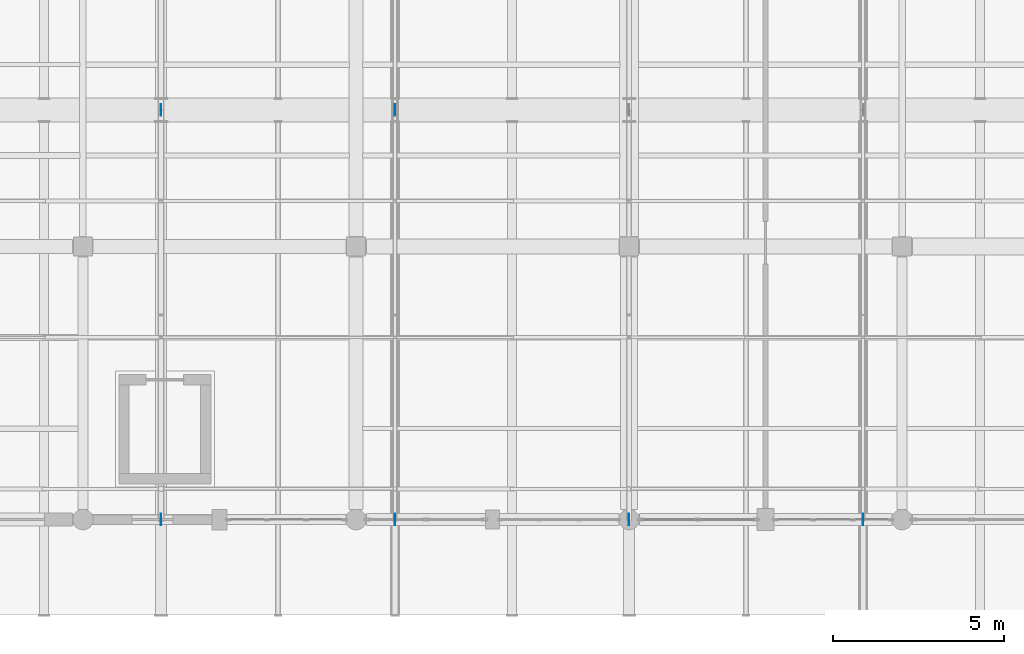
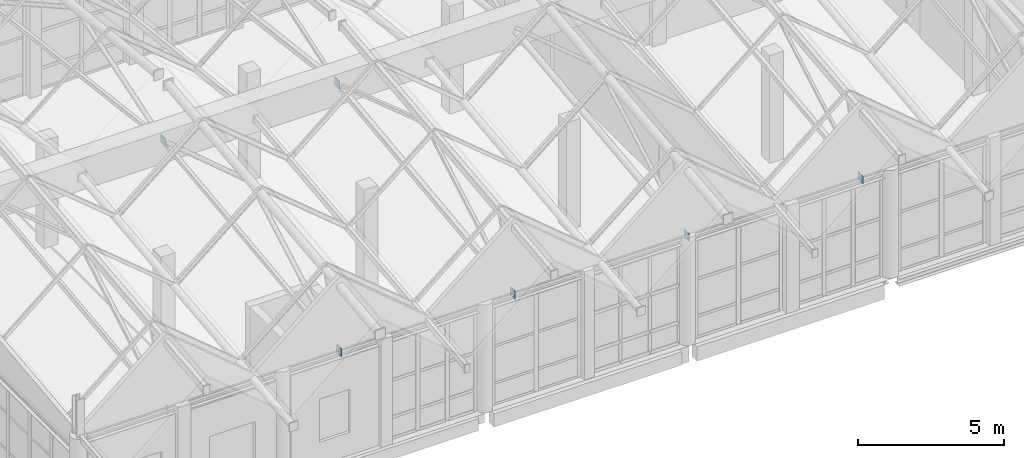
# One storey, part 136 of 183: 6 plates.
"""IFC4 building model written with IfcOpenShell, lengths in metres."""

import ifcopenshell
import ifcopenshell.guid

model = None  # the IFC model being written
_history = None  # IfcOwnerHistory: only IFC2X3 demands one
_inside = {}  # id of a spatial element -> (the spatial element, [elements in it])
_under = {}  # id of a project, library or spatial element -> (it, [spatial elements below it])
_declared = {}  # id of a project -> (the project, [libraries it declares])
_typed = {}  # id of a type object -> (the type object, [elements of that type])
_made_of = {}  # id of a material, layer set ... -> (it, [elements and type objects made of it])


def new_model(schema):
    """Start an empty IFC model of exactly this schema.

    Asked for "IFC4X3", IfcOpenShell would pick the latest addendum, in which some entities
    have other attributes; the version numbers below select the first issue.
    IFC2X3 requires an IfcOwnerHistory on every rooted entity: one is made here for all.
    """
    global model, _history
    if schema == "IFC4X3":
        model = ifcopenshell.file(schema_version=(4, 3, 0, 0))
    else:
        model = ifcopenshell.file(schema=schema)
    _inside.clear()
    _under.clear()
    _declared.clear()
    _typed.clear()
    _made_of.clear()
    _history = None
    if model.schema == "IFC2X3":
        org = make("IfcOrganization", Name="unknown")
        user = make(
            "IfcPersonAndOrganization",
            ThePerson=make("IfcPerson", FamilyName="unknown"),
            TheOrganization=org,
        )
        app = make(
            "IfcApplication",
            ApplicationDeveloper=org,
            Version="unknown",
            ApplicationFullName="unknown",
            ApplicationIdentifier="unknown",
        )
        _history = make(
            "IfcOwnerHistory",
            OwningUser=user,
            OwningApplication=app,
            ChangeAction="ADDED",
            CreationDate=0,
        )
    return model


def make(cls, **values):
    """One entity of the class cls with the attributes given. An attribute that is None is left unset."""
    return model.create_entity(
        cls, **{name: value for name, value in values.items() if value is not None}
    )


def rooted(cls, **values):
    """An entity with a GlobalId (a new one), such as an element, a storey or a relation."""
    return make(cls, GlobalId=ifcopenshell.guid.new(), OwnerHistory=_history, **values)


def si_unit(unit_type, name, prefix=None):
    """IfcSIUnit, for example si_unit("LENGTHUNIT", "METRE", prefix="MILLI")."""
    return make("IfcSIUnit", UnitType=unit_type, Prefix=prefix, Name=name)


def assignment(units):
    """IfcUnitAssignment: the units of a project."""
    return None if units is None else make("IfcUnitAssignment", Units=units)


def point(xyz):
    """IfcCartesianPoint."""
    return None if xyz is None else make("IfcCartesianPoint", Coordinates=xyz)


def direction(xyz):
    """IfcDirection."""
    return None if xyz is None else make("IfcDirection", DirectionRatios=xyz)


def frame(location, z_axis=None, x_axis=None):
    """IfcAxis2Placement3D, a coordinate frame: its origin and axes. An axis left out is left unset."""
    return make(
        "IfcAxis2Placement3D",
        Location=point(location),
        Axis=direction(z_axis),
        RefDirection=direction(x_axis),
    )


def frame_2d(location, x_axis=None):
    """IfcAxis2Placement2D, a coordinate frame in the plane: its origin and x axis."""
    return make(
        "IfcAxis2Placement2D", Location=point(location), RefDirection=direction(x_axis)
    )


def origin():
    """The frame at (0, 0, 0) with its axes left unset."""
    return frame((0.0, 0.0, 0.0))


def origin_2d():
    """The frame at (0, 0) in the plane with its x axis left unset."""
    return frame_2d((0.0, 0.0))


def place(relative_to, where):
    """IfcLocalPlacement: puts the frame where relative to a parent placement (None: the world)."""
    return make(
        "IfcLocalPlacement", PlacementRelTo=relative_to, RelativePlacement=where
    )


def context(
    kind, dimensions, precision=None, world=None, true_north=None, identifier=None
):
    """IfcGeometricRepresentationContext, for example the 3D "Model" context."""
    return make(
        "IfcGeometricRepresentationContext",
        ContextIdentifier=identifier,
        ContextType=kind,
        CoordinateSpaceDimension=dimensions,
        Precision=precision,
        WorldCoordinateSystem=world,
        TrueNorth=true_north,
    )


def subcontext(parent, identifier, kind, view, scale=None):
    """IfcGeometricRepresentationSubContext, for example "Body" below "Model"."""
    return make(
        "IfcGeometricRepresentationSubContext",
        ContextIdentifier=identifier,
        ContextType=kind,
        ParentContext=parent,
        TargetScale=scale,
        TargetView=view,
    )


def project(units=None, contexts=None):
    """IfcProject with its units and contexts."""
    return rooted(
        "IfcProject",
        Name="project",
        RepresentationContexts=contexts,
        UnitsInContext=assignment(units),
    )


def spatial(cls, under=None, at=None, **own):
    """A site, building, storey or space (cls), placed at a placement, below another one or the project."""
    s = rooted(cls, ObjectPlacement=at, **own)
    if under is not None:
        _under.setdefault(under.id(), (under, []))[1].append(s)
    return s


def profile(cls, at=None, kind="AREA", **sizes):
    """A parametric profile (cls). Its sizes go by their IFC names, for example OverallWidth=200.0."""
    return make(cls, ProfileType=kind, Position=at, **sizes)


def rectangle(**sizes):
    """IfcRectangleProfileDef."""
    return profile("IfcRectangleProfileDef", **sizes)


def extrude(swept, where, along, depth):
    """IfcExtrudedAreaSolid: the profile swept, set in the frame where, extruded along a direction by depth."""
    return make(
        "IfcExtrudedAreaSolid",
        SweptArea=swept,
        Position=where,
        ExtrudedDirection=direction(along),
        Depth=depth,
    )


def shape(context_of_items, identifier, shape_type, items):
    """IfcShapeRepresentation: the items that make up one representation, for example the "Body"."""
    return make(
        "IfcShapeRepresentation",
        ContextOfItems=context_of_items,
        RepresentationIdentifier=identifier,
        RepresentationType=shape_type,
        Items=items,
    )


def material(Name=None, Category=None):
    """IfcMaterial."""
    return make("IfcMaterial", Name=Name, Category=Category)


def layer(
    of_material, thickness, ventilated=None, Name=None, Category=None, Priority=None
):
    """IfcMaterialLayer: one layer of a wall or slab, of a material (None: an air gap)."""
    return make(
        "IfcMaterialLayer",
        Material=of_material,
        LayerThickness=thickness,
        IsVentilated=ventilated,
        Name=Name,
        Category=Category,
        Priority=Priority,
    )


def layer_set(layers, Name=None):
    """IfcMaterialLayerSet."""
    return make("IfcMaterialLayerSet", MaterialLayers=layers, LayerSetName=Name)


def made_of(thing, what):
    """Note that an element or type object is made of a material, layer set ...; save() writes the relation."""
    if what is not None:
        _made_of.setdefault(what.id(), (what, []))[1].append(thing)
    return thing


def type_object(cls, material=None, **own):
    """A type object (cls), such as IfcWallType, which elements share."""
    return made_of(rooted(cls, **own), material)


def element(
    cls,
    number,
    at=None,
    inside=None,
    cuts=None,
    type_object=None,
    material=None,
    context=None,
    identifier="Body",
    shape_type=None,
    held_by="IfcProductDefinitionShape",
    body=None,
    shapes=None,
    **own,
):
    """One element of the class cls, such as IfcWall. Its Tag is "e" and its number.

    at: its placement. inside: the storey or other place that contains it. cuts: it is an
    opening in that element (IfcRelVoidsElement). A single representation is given by context,
    identifier, shape_type and body (its items); several are given by shapes. held_by: the class
    of the entity that holds the representations. save() writes the other relations.
    """
    e = rooted(cls, Tag="e%d" % number, ObjectPlacement=at, **own)
    if body is not None:
        shapes = [shape(context, identifier, shape_type, body)]
    if shapes is not None:
        e.Representation = make(held_by, Representations=shapes)
    if inside is not None:
        _inside.setdefault(inside.id(), (inside, []))[1].append(e)
    if cuts is not None:
        rooted(
            "IfcRelVoidsElement", RelatingBuildingElement=cuts, RelatedOpeningElement=e
        )
    if type_object is not None:
        _typed.setdefault(type_object.id(), (type_object, []))[1].append(e)
    return made_of(e, material)


def aggregate(whole, parts):
    """IfcRelAggregates: a whole, such as a stair, and the parts it consists of."""
    return rooted("IfcRelAggregates", RelatingObject=whole, RelatedObjects=parts)


def save(model, path):
    """Write the relations noted so far, then the file.

    IfcRelAggregates (storeys below a building ...), IfcRelContainedInSpatialStructure (elements
    in a storey), IfcRelDefinesByType, IfcRelAssociatesMaterial and IfcRelDeclares: one each for
    every whole, place, type object, material and project.
    """
    for whole, parts in _under.values():
        aggregate(whole, parts)
    for where, things in _inside.values():
        rooted(
            "IfcRelContainedInSpatialStructure",
            RelatedElements=things,
            RelatingStructure=where,
        )
    for kind, things in _typed.values():
        rooted("IfcRelDefinesByType", RelatedObjects=things, RelatingType=kind)
    for what, things in _made_of.values():
        rooted("IfcRelAssociatesMaterial", RelatedObjects=things, RelatingMaterial=what)
    for by, libraries in _declared.values():
        rooted("IfcRelDeclares", RelatingContext=by, RelatedDefinitions=libraries)
    model.write(path)


model = new_model("IFC4")

# Units and contexts
model_context = context("Model", 3, precision=1e-05, world=origin(), true_north=direction((0.0, 1.0)))
body_context = subcontext(model_context, "Body", "Model", "MODEL_VIEW")
ifc_project = project(units=[si_unit("LENGTHUNIT", "METRE"), si_unit("AREAUNIT", "SQUARE_METRE"), si_unit("VOLUMEUNIT", "CUBIC_METRE"), si_unit("PLANEANGLEUNIT", "RADIAN"), si_unit("MASSUNIT", "GRAM", prefix="KILO")], contexts=[model_context])

# Site, building, storey
site_placement = place(None, origin())
site = spatial("IfcSite", under=ifc_project, at=site_placement, CompositionType="ELEMENT")
building_placement = place(site_placement, origin())
building = spatial("IfcBuilding", under=site, at=building_placement, Name="Luwemba Playhouse", CompositionType="ELEMENT")
storey_placement = place(building_placement, frame((0.0, 0.0, 4.800048828125)))
storey = spatial("IfcBuildingStorey", under=building, at=storey_placement, Name="L01", CompositionType="ELEMENT", Elevation=4.800048828125)

# Plates
ifc_material = material(Name="Steel S355", Category="steel")
ifc_layer_1 = layer(ifc_material, 0.02001953125)
ifc_layer_set_1 = layer_set([ifc_layer_1], Name="Steel S355")
plate_type_1 = type_object("IfcPlateType", Name="PLT-GP2", PredefinedType="USERDEFINED", material=ifc_layer_set_1)
for number, where, z_axis, x_axis, name in (
    (1, (134.28564453125, 3.0, 4.22998046875), (0.0, 0.0, 1.0), (1.0, 0.0, 0.0), "Truss node gusset cap plate 0136"),
    (2, (141.142822265625, 3.0, 4.22998046875), (0.0, 0.0, 1.0), (1.0, 0.0, 0.0), "Truss node gusset cap plate 0139"),
    (3, (148.0, 3.0, 4.22998046875), (0.0, 0.0, 1.0), (1.0, 0.0, 0.0), "Truss node gusset cap plate 0142"),
    (4, (154.857177734375, 3.0, 4.22998046875), (0.0, 0.0, 1.0), (1.0, 0.0, 0.0), "Truss node gusset cap plate 0145"),
):
    element("IfcPlate", number, at=place(storey_placement, frame(where, z_axis=z_axis, x_axis=x_axis)), inside=storey, type_object=plate_type_1, Name=name, ObjectType="GUSSET PLATE", PredefinedType="USERDEFINED", context=body_context, shape_type="SweptSolid", body=[
        extrude(rectangle(XDim=0.02001953125, YDim=0.340087890625, at=origin_2d()), origin(), (0.0, 0.0, 1.0), 0.340087890625),
    ])
ifc_layer_2 = layer(ifc_material, 0.02490234375)
ifc_layer_set_2 = layer_set([ifc_layer_2], Name="Steel S355")
plate_type_2 = type_object("IfcPlateType", Name="PLT-GP3", PredefinedType="USERDEFINED", material=ifc_layer_set_2)
for number, where, z_axis, x_axis, name in (
    (5, (134.28564453125, 15.0, 5.69384765625), (0.0, 0.0, 1.0), (1.0, 0.0, 0.0), "Truss node gusset cap plate 0137"),
    (6, (141.142822265625, 15.0, 5.69384765625), (0.0, 0.0, 1.0), (1.0, 0.0, 0.0), "Truss node gusset cap plate 0140"),
):
    element("IfcPlate", number, at=place(storey_placement, frame(where, z_axis=z_axis, x_axis=x_axis)), inside=storey, type_object=plate_type_2, Name=name, ObjectType="GUSSET PLATE", PredefinedType="USERDEFINED", context=body_context, shape_type="SweptSolid", body=[
        extrude(rectangle(XDim=0.02490234375, YDim=0.340087890625, at=origin_2d()), origin(), (0.0, 0.0, 1.0), 0.340087890625),
    ])

save(model, "model.ifc")
